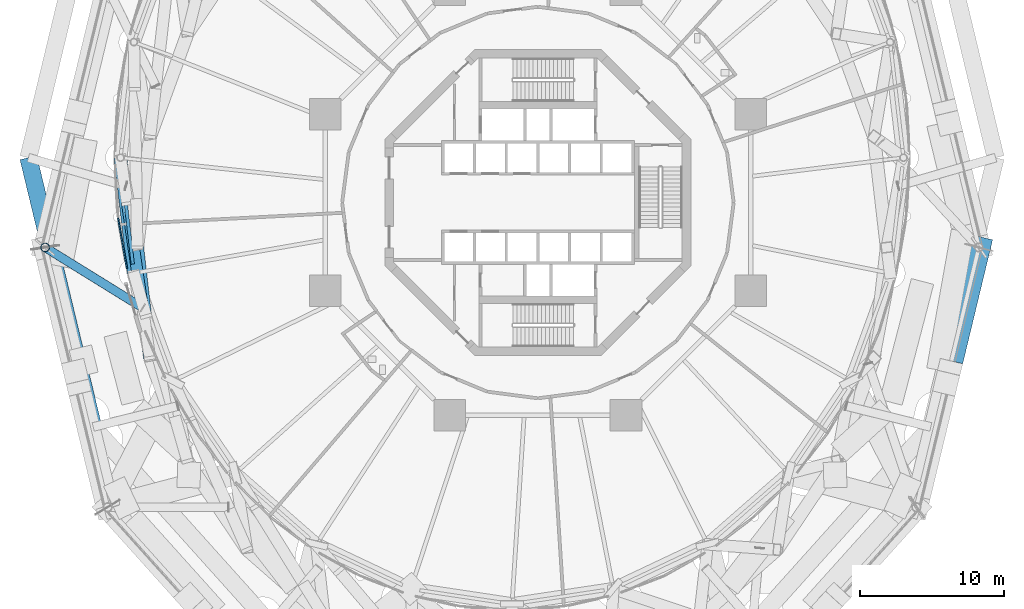
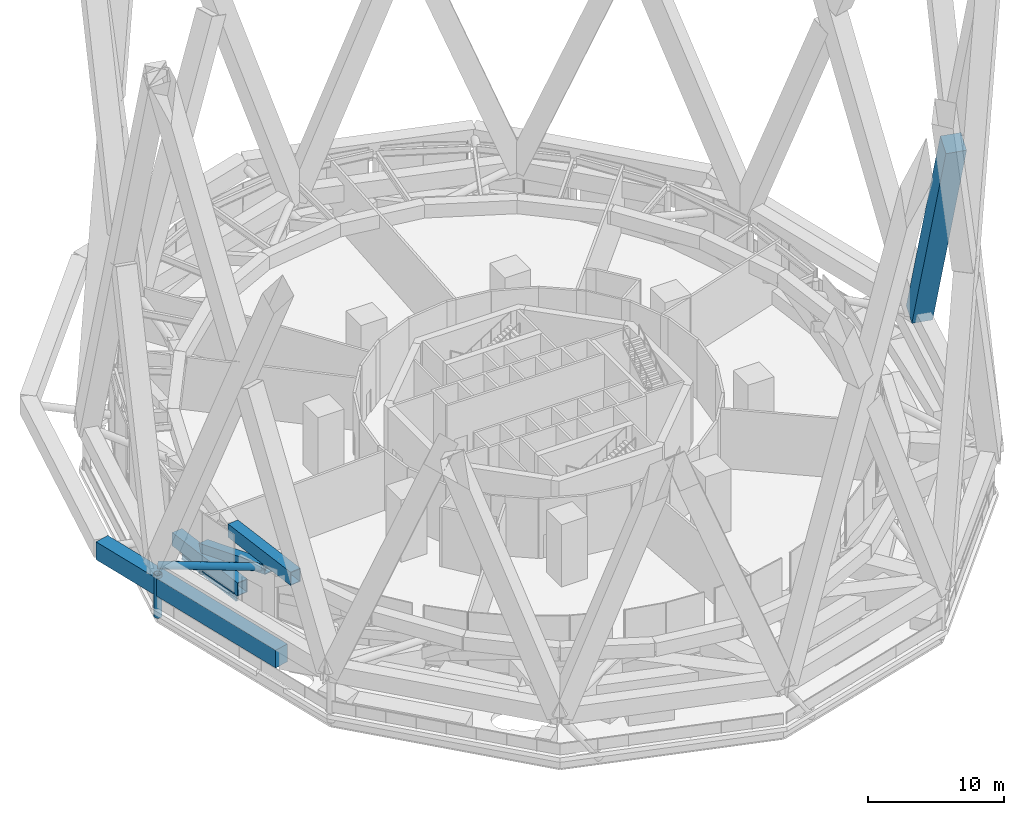
# One storey, part 15 of 65: 5 members, 4 beams, 1 element without a shape of its own.
"""IFC4 building model written with IfcOpenShell, lengths in metres."""

from ifc_helpers import new_model, si_unit, direction, frame, origin, origin_2d, place, context, subcontext, project, spatial, rectangle, hollow_rectangle, hollow_circle, i_section, extrude, material, layer, layer_set, material_profile, profile_set, type_object, element, aggregate, save


model = new_model("IFC4")

# Units and contexts
model_context = context("Model", 3, precision=1e-05, world=origin(), true_north=direction((0.0, 1.0)))
body_context = subcontext(model_context, "Body", "Model", "MODEL_VIEW")
ifc_project = project(units=[si_unit("LENGTHUNIT", "METRE"), si_unit("AREAUNIT", "SQUARE_METRE"), si_unit("VOLUMEUNIT", "CUBIC_METRE"), si_unit("PLANEANGLEUNIT", "RADIAN"), si_unit("MASSUNIT", "GRAM", prefix="KILO")], contexts=[model_context])

# Site, building, storey
site_placement = place(None, origin())
site = spatial("IfcSite", under=ifc_project, at=site_placement, CompositionType="ELEMENT")
building_placement = place(site_placement, origin())
building = spatial("IfcBuilding", under=site, at=building_placement, Name="Nagisa Residences", CompositionType="ELEMENT")
storey_placement = place(building_placement, frame((0.0, 0.0, 114.0)))
storey = spatial("IfcBuildingStorey", under=building, at=storey_placement, Name="L28", CompositionType="ELEMENT", Elevation=114.0)

# Beams
ifc_material_1 = material(Name="Steel ASTM A572 Gr 50", Category="steel")
ifc_material_profile_1 = material_profile(ifc_material_1, hollow_rectangle(XDim=0.89990234375, YDim=1.199951171875, WallThickness=0.050048828125, at=origin_2d()), Name="BX 900x1200x50")
ifc_profile_set_1 = profile_set([ifc_material_profile_1], Name="Steel ASTM A572 Gr 50")
beam_type_1 = type_object("IfcBeamType", Name="Belt chord 2 BX 900x1200x50", PredefinedType="BEAM", material=ifc_profile_set_1)
beam_1_placement = place(storey_placement, frame((-28.9951171875, 3.11767578125, 0.60009765625), z_axis=(0.114688326787, -0.993401523906, 0.0), x_axis=(0.993401523906, 0.114688326787, 0.0)))
element("IfcBeam", 1, at=beam_1_placement, inside=storey, type_object=beam_type_1, Name="beam:L28:bt2b13", PredefinedType="BEAM", context=body_context, shape_type="SweptSolid", body=[
    extrude(hollow_rectangle(XDim=0.89990234375, YDim=1.199951171875, WallThickness=0.050048828125, at=origin_2d()), origin(), (0.0, 0.0, 1.0), 8.08056640625),
])
beam_2_placement = place(storey_placement, frame((-27.8349609375, -3.11767578125, 4.739990234375), z_axis=(0.114645667897, -0.993406447952, 0.0), x_axis=(0.993406447952, 0.114645667897, 0.0)))
element("IfcBeam", 2, at=beam_2_placement, inside=storey, type_object=beam_type_1, Name="beam:L28:bt2t13", PredefinedType="BEAM", context=body_context, shape_type="SweptSolid", body=[
    extrude(hollow_rectangle(XDim=0.89990234375, YDim=1.199951171875, WallThickness=0.050048828125, at=origin_2d()), origin(), (0.0, 0.0, 1.0), 7.736572265625),
])
ifc_material_2 = material(Name="Steel ASTM A572 Gr 50", Category="steel")
ifc_material_profile_2 = material_profile(ifc_material_2, hollow_rectangle(XDim=0.800048828125, YDim=0.800048828125, WallThickness=0.044921875, at=origin_2d()), Name="BX 800x800x45")
ifc_profile_set_2 = profile_set([ifc_material_profile_2], Name="Steel ASTM A572 Gr 50")
beam_type_2 = type_object("IfcBeamType", Name="Belt diagonal 2 BX 800x800x45", PredefinedType="BEAM", material=ifc_profile_set_2)
beam_3_placement = place(storey_placement, frame((-28.525146484375, -0.07666015625, 1.550048828125), z_axis=(0.139545992104, -0.94913424788, 0.282260687291), x_axis=(0.989364022404, 0.145460754752, 0.0)))
element("IfcBeam", 3, at=beam_3_placement, inside=storey, type_object=beam_type_2, Name="beam:L28:bt2db13", PredefinedType="BEAM", context=body_context, shape_type="SweptSolid", body=[
    extrude(hollow_rectangle(XDim=0.800048828125, YDim=0.800048828125, WallThickness=0.044921875, at=origin_2d()), origin(), (0.0, 0.0, 1.0), 7.935791015625),
])

# Curtain wall, member
ifc_material_3 = material(Name="Aluminium curtain wall system", Category="aluminium")
ifc_layer = layer(ifc_material_3, 0.159912109375)
ifc_layer_set = layer_set([ifc_layer], Name="CW5 CURTAIN WALL")
curtain_wall_type = type_object("IfcCurtainWallType", Name="CW5 CURTAIN WALL", PredefinedType="NOTDEFINED", material=ifc_layer_set)
curtain_wall_placement = place(storey_placement, origin())
curtain_wall = element("IfcCurtainWall", 4, at=curtain_wall_placement, inside=storey, type_object=curtain_wall_type, Name="cw:CW5:L28:25", PredefinedType="NOTDEFINED")
ifc_material_4 = material(Name="Aluminium", Category="aluminium")
ifc_material_profile_3 = material_profile(ifc_material_4, rectangle(XDim=0.10009765625, YDim=0.1201171875, at=origin_2d()), Name="CW5 TRANSOM 100x120")
ifc_profile_set_3 = profile_set([ifc_material_profile_3], Name="Aluminium")
member_type_1 = type_object("IfcMemberType", Name="CW5 TRANSOM 100x120", PredefinedType="USERDEFINED", material=ifc_profile_set_3)
member_1_placement = place(storey_placement, frame((-29.17919921875, -0.982177734375, 0.06005859375), z_axis=(0.172161553928, -0.985068728236, 0.0), x_axis=(0.985068728236, 0.172161553928, 0.0)))
member_1 = element("IfcMember", 5, at=member_1_placement, type_object=member_type_1, Name="CW5 transom", ObjectType="TRANSOM", PredefinedType="USERDEFINED", context=body_context, shape_type="SweptSolid", body=[
    extrude(rectangle(XDim=0.10009765625, YDim=0.1201171875, at=origin_2d()), origin(), (0.0, 0.0, 1.0), 3.654296875),
])
aggregate(curtain_wall, [member_1])

# Members
ifc_material_5 = material(Name="Concrete C80", Category="concrete")
ifc_material_profile_4 = material_profile(ifc_material_5, rectangle(XDim=1.60009765625, YDim=1.60009765625, at=origin_2d()), Name="C80 1600x1600")
ifc_profile_set_4 = profile_set([ifc_material_profile_4], Name="Concrete C80")
member_type_2 = type_object("IfcMemberType", Name="Cage diagonal 3 C80 1600x1600", PredefinedType="BRACE", material=ifc_profile_set_4)
member_2_placement = place(storey_placement, frame((30.635009765625, -3.11767578125, 3.699951171875), z_axis=(-0.090120264696, -0.374299994674, 0.922918117645), x_axis=(0.972217131243, -0.234080861492, 0.0)))
element("IfcMember", 6, at=member_2_placement, inside=storey, type_object=member_type_2, Name="mem:L28:cg3d024a", PredefinedType="BRACE", context=body_context, shape_type="SweptSolid", body=[
    extrude(rectangle(XDim=1.60009765625, YDim=1.60009765625, at=origin_2d()), origin(), (0.0, 0.0, 1.0), 23.002685546875),
])
ifc_material_6 = material(Name="Concrete C80", Category="concrete")
ifc_material_profile_5 = material_profile(ifc_material_6, rectangle(XDim=1.199951171875, YDim=1.60009765625, at=origin_2d()), Name="C80 1200x1600")
ifc_profile_set_5 = profile_set([ifc_material_profile_5], Name="Concrete C80")
member_type_3 = type_object("IfcMemberType", Name="Cage ring 2 C80 1200x1600", PredefinedType="CHORD", material=ifc_profile_set_5)
member_3_placement = place(storey_placement, frame((-35.39501953125, 3.11767578125, 1.89990234375), z_axis=(0.233921910771, -0.972255388085, 0.0), x_axis=(0.972255388085, 0.233921910771, 0.0)))
element("IfcMember", 7, at=member_3_placement, inside=storey, type_object=member_type_3, Name="beam:L28:cg2r107", PredefinedType="CHORD", context=body_context, shape_type="SweptSolid", body=[
    extrude(rectangle(XDim=1.199951171875, YDim=1.60009765625, at=origin_2d()), origin(), (0.0, 0.0, 1.0), 19.241455078125),
])
ifc_material_7 = material(Name="Steel ASTM A572 Gr 65", Category="steel")
ifc_material_profile_6 = material_profile(ifc_material_7, hollow_circle(Radius=0.304931640625, WallThickness=0.02490234375, at=origin_2d()), Name="CHS 610x25")
ifc_profile_set_6 = profile_set([ifc_material_profile_6], Name="Steel ASTM A572 Gr 65")
member_type_4 = type_object("IfcMemberType", Name="Cage strut CHS 610x25", PredefinedType="STRUT", material=ifc_profile_set_6)
member_4_placement = place(storey_placement, frame((-34.235107421875, -3.11767578125, 3.699951171875), z_axis=(0.850506800767, -0.525964049959, 0.0), x_axis=(0.525964049959, 0.850506800767, 0.0)))
element("IfcMember", 8, at=member_4_placement, inside=storey, type_object=member_type_4, Name="mem:L28:bt2st3b07", PredefinedType="STRUT", context=body_context, shape_type="SweptSolid", body=[
    extrude(hollow_circle(Radius=0.304931640625, WallThickness=0.02490234375, at=origin_2d()), origin(), (0.0, 0.0, 1.0), 7.96337890625),
])
ifc_material_8 = material(Name="Steel ASTM A572 Gr 65", Category="steel")
ifc_material_profile_7 = material_profile(ifc_material_8, hollow_circle(Radius=0.304931640625, WallThickness=0.02490234375, at=origin_2d()), Name="CHS 610x25")
ifc_profile_set_7 = profile_set([ifc_material_profile_7], Name="Steel ASTM A572 Gr 65")
member_type_5 = type_object("IfcMemberType", Name="Deck hanger CHS 610x25", PredefinedType="POST", material=ifc_profile_set_7)
member_5_placement = place(storey_placement, frame((-34.235107421875, -3.11767578125, 2.949951171875), z_axis=(0.0, 0.0, -1.0), x_axis=(1.0, 0.0, 0.0)))
element("IfcMember", 9, at=member_5_placement, inside=storey, type_object=member_type_5, Name="mem:L28:deckhanger04", PredefinedType="POST", context=body_context, shape_type="SweptSolid", body=[
    extrude(hollow_circle(Radius=0.304931640625, WallThickness=0.02490234375, at=origin_2d()), origin(), (0.0, 0.0, 1.0), 3.83984375),
])

# Beam
ifc_material_9 = material(Name="Steel ASTM A572 Gr 50", Category="steel")
ifc_material_profile_8 = material_profile(ifc_material_9, i_section(OverallWidth=0.22900390625, OverallDepth=0.612060546875, WebThickness=0.011962890625, FlangeThickness=0.01953125, at=origin_2d()), Name="W610x125")
ifc_profile_set_8 = profile_set([ifc_material_profile_8], Name="Steel ASTM A572 Gr 50")
beam_type_3 = type_object("IfcBeamType", Name="Perimeter ring beam W610x125", PredefinedType="BEAM", material=ifc_profile_set_8)
beam_4_placement = place(storey_placement, frame((-28.92236328125, 2.487548828125, -0.656005859375), z_axis=(0.114690766503, -0.993401242237, 0.0), x_axis=(0.993401242237, 0.114690766503, 0.0)))
element("IfcBeam", 10, at=beam_4_placement, inside=storey, type_object=beam_type_3, Name="beam:L28:pb13", PredefinedType="BEAM", context=body_context, shape_type="SweptSolid", body=[
    extrude(i_section(OverallWidth=0.22900390625, OverallDepth=0.612060546875, WebThickness=0.011962890625, FlangeThickness=0.01953125, at=origin_2d()), origin(), (0.0, 0.0, 1.0), 6.811767578125),
])

save(model, "model.ifc")
